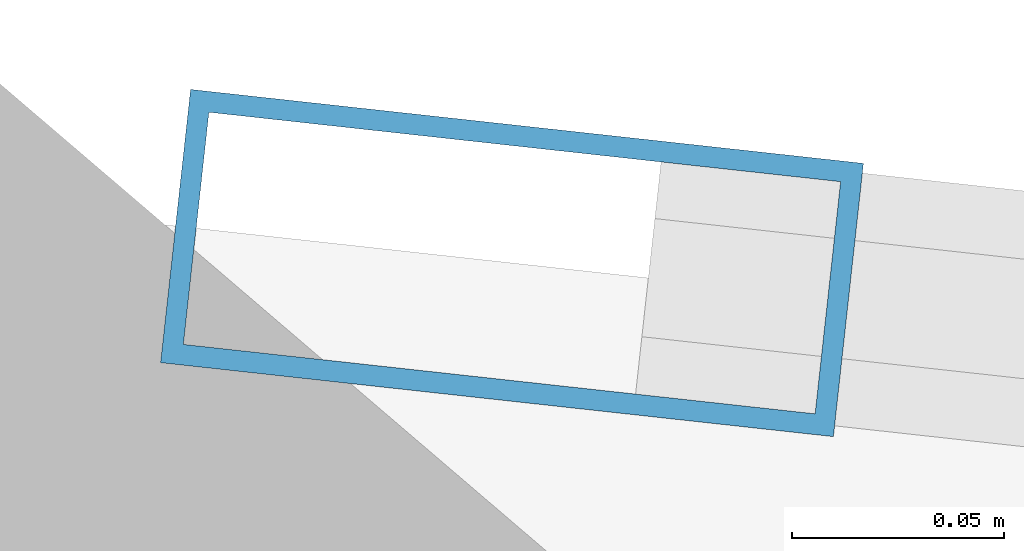
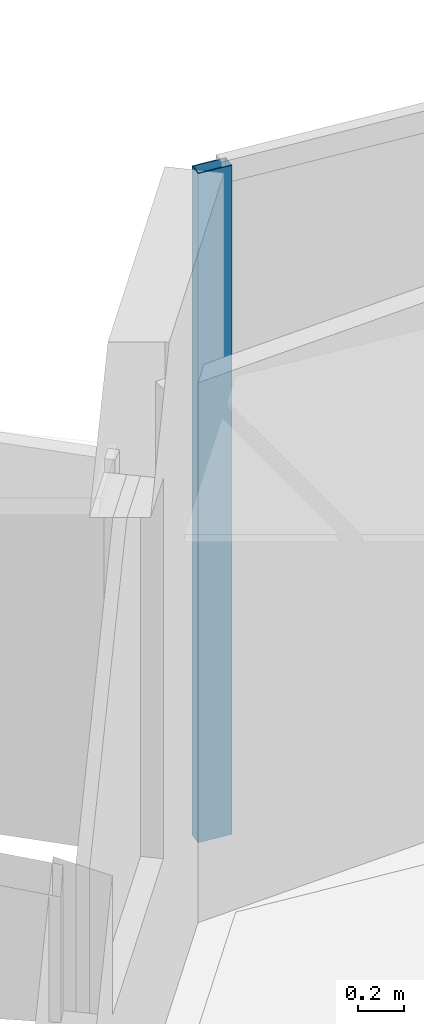
# One storey, part 17 of 24: 1 member, 1 element without a shape of its own.
"""IFC4 building model written with IfcOpenShell, lengths in metres."""

from ifc_helpers import new_model, si_unit, direction, frame, origin, origin_2d, place, context, subcontext, project, spatial, hollow_rectangle, extrude, material, layer, layer_set, material_profile, profile_set, type_object, element, aggregate, save


model = new_model("IFC4")

# Units and contexts
model_context = context("Model", 3, precision=1e-05, world=origin(), true_north=direction((0.0, 1.0)))
body_context = subcontext(model_context, "Body", "Model", "MODEL_VIEW")
ifc_project = project(units=[si_unit("LENGTHUNIT", "METRE"), si_unit("AREAUNIT", "SQUARE_METRE"), si_unit("VOLUMEUNIT", "CUBIC_METRE"), si_unit("PLANEANGLEUNIT", "RADIAN"), si_unit("MASSUNIT", "GRAM", prefix="KILO")], contexts=[model_context])

# Site, building, storey
site_placement = place(None, origin())
site = spatial("IfcSite", under=ifc_project, at=site_placement, CompositionType="ELEMENT")
building_placement = place(site_placement, origin())
building = spatial("IfcBuilding", under=site, at=building_placement, Name="Qianvela Tower", CompositionType="ELEMENT")
storey_placement = place(building_placement, frame((0.0, 0.0, 222.5)))
storey = spatial("IfcBuildingStorey", under=building, at=storey_placement, Name="L57", CompositionType="ELEMENT", Elevation=222.5)

# Curtain wall, member
ifc_material_1 = material(Name="Anodised Architectural Aluminium and Low-E Glass", Category="aluminium")
ifc_layer = layer(ifc_material_1, 0.159912109375)
ifc_layer_set = layer_set([ifc_layer], Name="Anodised Architectural Aluminium and Low-E Glass")
curtain_wall_type = type_object("IfcCurtainWallType", Name="CW-COLIV-Z56", PredefinedType="USERDEFINED", material=ifc_layer_set)
curtain_wall_placement = place(storey_placement, origin())
curtain_wall = element("IfcCurtainWall", 1, at=curtain_wall_placement, inside=storey, type_object=curtain_wall_type, Name="L57 CW-COLIV-Z56 Curtain Wall 02C", ObjectType="CURTAIN_WALL_SYSTEM", PredefinedType="USERDEFINED")
ifc_material_2 = material(Name="Anodised Architectural Aluminium 6063-T6", Category="aluminium")
ifc_material_profile = material_profile(ifc_material_2, hollow_rectangle(XDim=0.06494140625, YDim=0.159912109375, WallThickness=0.0048828125, at=origin_2d()), Name="ALU-MULL-65x160")
ifc_profile_set = profile_set([ifc_material_profile], Name="Anodised Architectural Aluminium 6063-T6")
member_type = type_object("IfcMemberType", Name="CW-COLIV-Z56-MULL", PredefinedType="MULLION", material=ifc_profile_set)
member_placement = place(storey_placement, frame((23.71923828125, 39.119384765625, 0.0), z_axis=(0.0, 0.0, 1.0), x_axis=(-0.109262153523, -0.994012968631, 0.0)))
member = element("IfcMember", 2, at=member_placement, type_object=member_type, Name="CW-5 mullion 3", PredefinedType="MULLION", context=body_context, shape_type="SweptSolid", body=[
    extrude(hollow_rectangle(XDim=0.06494140625, YDim=0.159912109375, WallThickness=0.0048828125, at=origin_2d()), origin(), (0.0, 0.0, 1.0), 3.52001953125),
])
aggregate(curtain_wall, [member])

save(model, "model.ifc")
